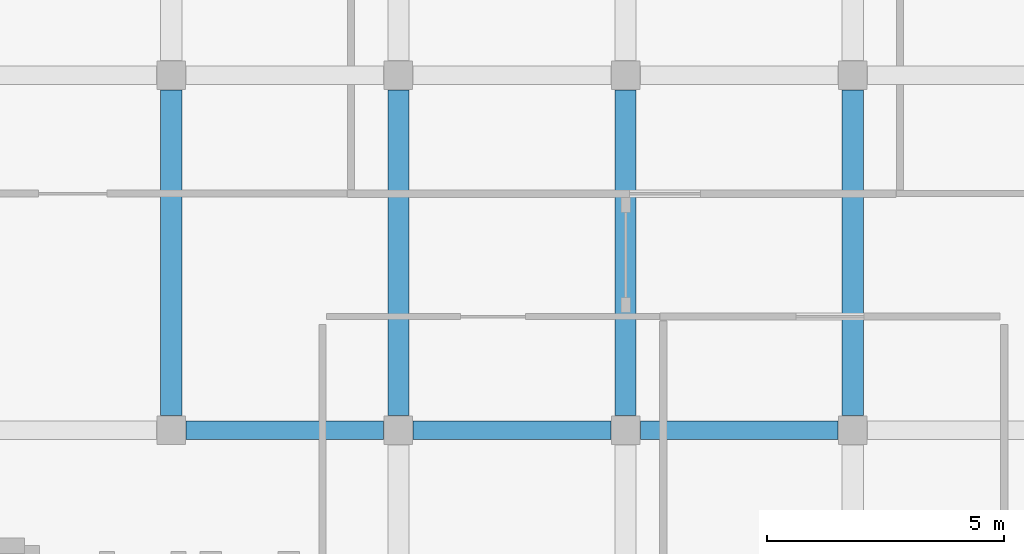
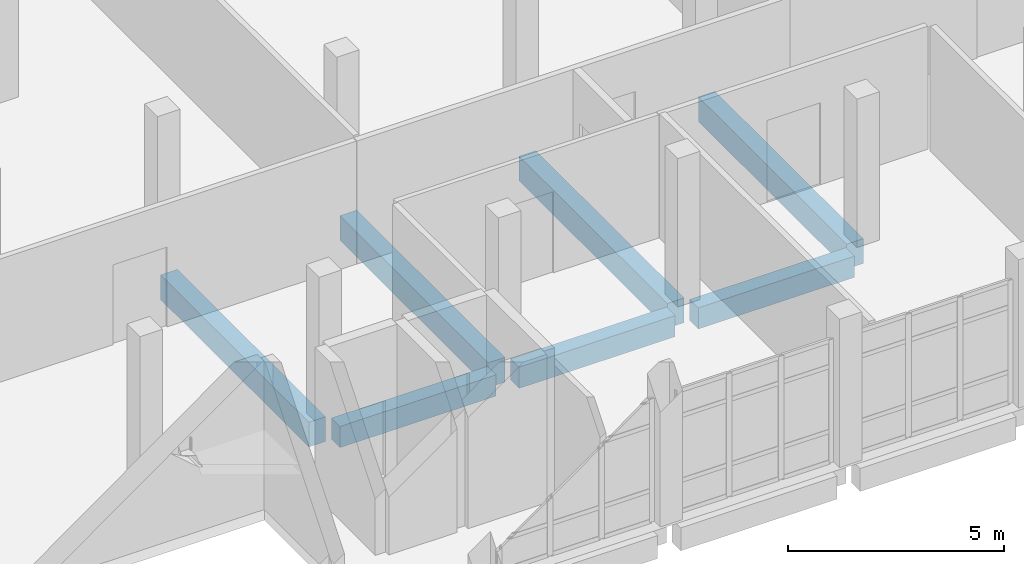
# One storey, part 89 of 164: 7 beams.
"""IFC4 building model written with IfcOpenShell, lengths in metres."""

from ifc_helpers import new_model, si_unit, direction, frame, origin, origin_2d, place, context, subcontext, project, spatial, rectangle, extrude, material, material_profile, profile_set, type_object, element, save


model = new_model("IFC4")

# Units and contexts
model_context = context("Model", 3, precision=1e-05, world=origin(), true_north=direction((0.0, 1.0)))
body_context = subcontext(model_context, "Body", "Model", "MODEL_VIEW")
ifc_project = project(units=[si_unit("LENGTHUNIT", "METRE"), si_unit("AREAUNIT", "SQUARE_METRE"), si_unit("VOLUMEUNIT", "CUBIC_METRE"), si_unit("PLANEANGLEUNIT", "RADIAN"), si_unit("MASSUNIT", "GRAM", prefix="KILO")], contexts=[model_context])

# Site, building, storey
site_placement = place(None, origin())
site = spatial("IfcSite", under=ifc_project, at=site_placement, CompositionType="ELEMENT")
building_placement = place(site_placement, origin())
building = spatial("IfcBuilding", under=site, at=building_placement, Name="Mawjan Specialist Oncology Clinic", CompositionType="ELEMENT")
storey_placement = place(building_placement, frame((0.0, 0.0, 5.0)))
storey = spatial("IfcBuildingStorey", under=building, at=storey_placement, Name="L01", CompositionType="ELEMENT", Elevation=5.0)

# Beams
ifc_material_1 = material(Name="Concrete C40/50", Category="concrete")
ifc_material_profile_1 = material_profile(ifc_material_1, rectangle(XDim=0.39990234375, YDim=0.60009765625, at=origin_2d()), Name="RC BM 400x600", Category="concrete")
ifc_profile_set_1 = profile_set([ifc_material_profile_1], Name="Concrete C40/50")
beam_type_1 = type_object("IfcBeamType", Name="BM-400x600", PredefinedType="BEAM", material=ifc_profile_set_1)
beam_1_placement = place(storey_placement, frame((65.110107421875, 90.800048828125, -0.60009765625), z_axis=(1.0, 0.0, 0.0), x_axis=(0.0, 1.0, 0.0)))
element("IfcBeam", 1, at=beam_1_placement, inside=storey, type_object=beam_type_1, Name="L01 Collector Beam BM-L01-0361", PredefinedType="BEAM", context=body_context, shape_type="SweptSolid", body=[
    extrude(rectangle(XDim=0.39990234375, YDim=0.60009765625, at=origin_2d()), origin(), (0.0, 0.0, 1.0), 4.179931640625),
])
beam_2_placement = place(storey_placement, frame((69.909912109375, 90.800048828125, -0.60009765625), z_axis=(1.0, 0.0, 0.0), x_axis=(0.0, 1.0, 0.0)))
element("IfcBeam", 2, at=beam_2_placement, inside=storey, type_object=beam_type_1, Name="L01 Collector Beam BM-L01-0362", PredefinedType="BEAM", context=body_context, shape_type="SweptSolid", body=[
    extrude(rectangle(XDim=0.39990234375, YDim=0.60009765625, at=origin_2d()), origin(), (0.0, 0.0, 1.0), 4.18017578125),
])
beam_3_placement = place(storey_placement, frame((74.7099609375, 90.800048828125, -0.60009765625), z_axis=(1.0, 0.0, 0.0), x_axis=(0.0, 1.0, 0.0)))
element("IfcBeam", 3, at=beam_3_placement, inside=storey, type_object=beam_type_1, Name="L01 Collector Beam BM-L01-0363", PredefinedType="BEAM", context=body_context, shape_type="SweptSolid", body=[
    extrude(rectangle(XDim=0.39990234375, YDim=0.60009765625, at=origin_2d()), origin(), (0.0, 0.0, 1.0), 4.179931640625),
])
ifc_material_2 = material(Name="Concrete C40/50", Category="concrete")
ifc_material_profile_2 = material_profile(ifc_material_2, rectangle(XDim=0.449951171875, YDim=0.699951171875, at=origin_2d()), Name="RC BM 450x700", Category="concrete")
ifc_profile_set_2 = profile_set([ifc_material_profile_2], Name="Concrete C40/50")
beam_type_2 = type_object("IfcBeamType", Name="BM-450x700", PredefinedType="BEAM", material=ifc_profile_set_2)
for number, where, z_axis, x_axis, name in (
    (4, (64.800048828125, 91.110107421875, -0.64990234375), (0.0, 1.0, 0.0), (-1.0, 0.0, 0.0), "L01 Collector Beam BM-L01-0498"),
    (5, (69.60009765625, 91.110107421875, -0.64990234375), (0.0, 1.0, 0.0), (-1.0, 0.0, 0.0), "L01 Collector Beam BM-L01-0505"),
    (6, (74.39990234375, 91.110107421875, -0.64990234375), (0.0, 1.0, 0.0), (-1.0, 0.0, 0.0), "L01 Collector Beam BM-L01-0511"),
    (7, (79.199951171875, 91.110107421875, -0.64990234375), (0.0, 1.0, 0.0), (-1.0, 0.0, 0.0), "L01 Collector Beam BM-L01-0517"),
):
    element("IfcBeam", number, at=place(storey_placement, frame(where, z_axis=z_axis, x_axis=x_axis)), inside=storey, type_object=beam_type_2, Name=name, PredefinedType="BEAM", context=body_context, shape_type="SweptSolid", body=[
        extrude(rectangle(XDim=0.449951171875, YDim=0.699951171875, at=origin_2d()), origin(), (0.0, 0.0, 1.0), 6.8798828125),
    ])

save(model, "model.ifc")
